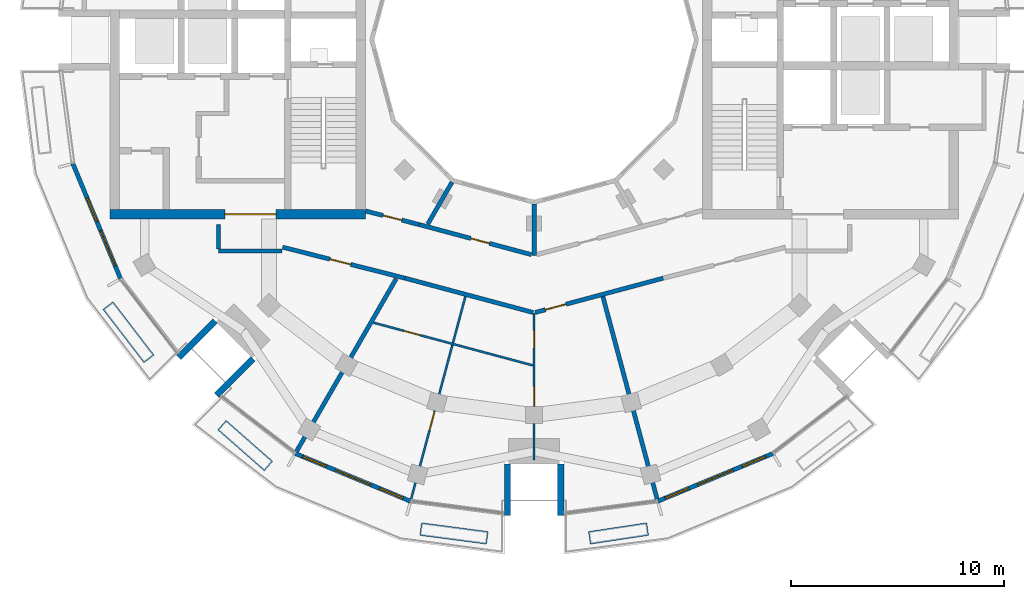
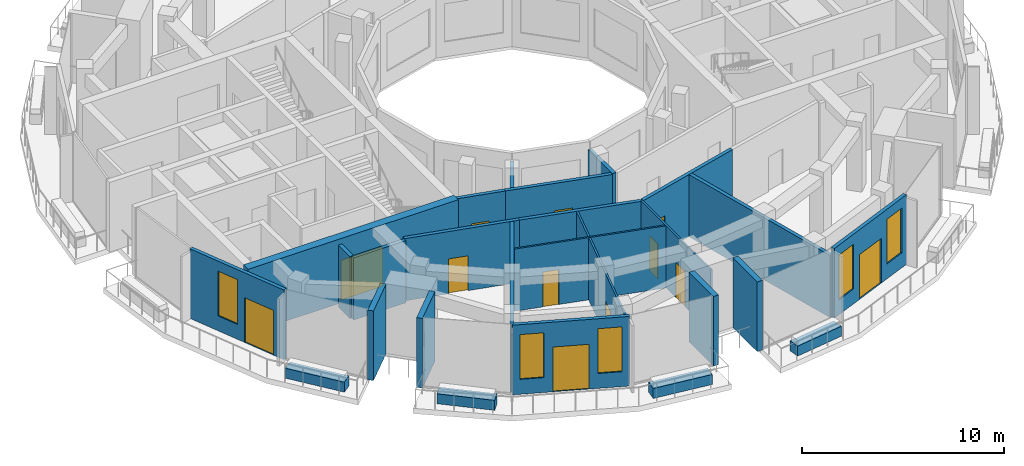
# One storey, part 8 of 16: 26 walls, 12 doors, 5 windows, 17 openings.
"""IFC4 building model written with IfcOpenShell, lengths in metres."""

import ifcopenshell
import ifcopenshell.guid

model = None  # the IFC model being written
_history = None  # IfcOwnerHistory: only IFC2X3 demands one
_inside = {}  # id of a spatial element -> (the spatial element, [elements in it])
_under = {}  # id of a project, library or spatial element -> (it, [spatial elements below it])
_declared = {}  # id of a project -> (the project, [libraries it declares])
_typed = {}  # id of a type object -> (the type object, [elements of that type])
_made_of = {}  # id of a material, layer set ... -> (it, [elements and type objects made of it])


def new_model(schema):
    """Start an empty IFC model of exactly this schema.

    Asked for "IFC4X3", IfcOpenShell would pick the latest addendum, in which some entities
    have other attributes; the version numbers below select the first issue.
    IFC2X3 requires an IfcOwnerHistory on every rooted entity: one is made here for all.
    """
    global model, _history
    if schema == "IFC4X3":
        model = ifcopenshell.file(schema_version=(4, 3, 0, 0))
    else:
        model = ifcopenshell.file(schema=schema)
    _inside.clear()
    _under.clear()
    _declared.clear()
    _typed.clear()
    _made_of.clear()
    _history = None
    if model.schema == "IFC2X3":
        org = make("IfcOrganization", Name="unknown")
        user = make(
            "IfcPersonAndOrganization",
            ThePerson=make("IfcPerson", FamilyName="unknown"),
            TheOrganization=org,
        )
        app = make(
            "IfcApplication",
            ApplicationDeveloper=org,
            Version="unknown",
            ApplicationFullName="unknown",
            ApplicationIdentifier="unknown",
        )
        _history = make(
            "IfcOwnerHistory",
            OwningUser=user,
            OwningApplication=app,
            ChangeAction="ADDED",
            CreationDate=0,
        )
    return model


def make(cls, **values):
    """One entity of the class cls with the attributes given. An attribute that is None is left unset."""
    return model.create_entity(
        cls, **{name: value for name, value in values.items() if value is not None}
    )


def rooted(cls, **values):
    """An entity with a GlobalId (a new one), such as an element, a storey or a relation."""
    return make(cls, GlobalId=ifcopenshell.guid.new(), OwnerHistory=_history, **values)


def si_unit(unit_type, name, prefix=None):
    """IfcSIUnit, for example si_unit("LENGTHUNIT", "METRE", prefix="MILLI")."""
    return make("IfcSIUnit", UnitType=unit_type, Prefix=prefix, Name=name)


def assignment(units):
    """IfcUnitAssignment: the units of a project."""
    return None if units is None else make("IfcUnitAssignment", Units=units)


def point(xyz):
    """IfcCartesianPoint."""
    return None if xyz is None else make("IfcCartesianPoint", Coordinates=xyz)


def direction(xyz):
    """IfcDirection."""
    return None if xyz is None else make("IfcDirection", DirectionRatios=xyz)


def frame(location, z_axis=None, x_axis=None):
    """IfcAxis2Placement3D, a coordinate frame: its origin and axes. An axis left out is left unset."""
    return make(
        "IfcAxis2Placement3D",
        Location=point(location),
        Axis=direction(z_axis),
        RefDirection=direction(x_axis),
    )


def frame_2d(location, x_axis=None):
    """IfcAxis2Placement2D, a coordinate frame in the plane: its origin and x axis."""
    return make(
        "IfcAxis2Placement2D", Location=point(location), RefDirection=direction(x_axis)
    )


def origin():
    """The frame at (0, 0, 0) with its axes left unset."""
    return frame((0.0, 0.0, 0.0))


def place(relative_to, where):
    """IfcLocalPlacement: puts the frame where relative to a parent placement (None: the world)."""
    return make(
        "IfcLocalPlacement", PlacementRelTo=relative_to, RelativePlacement=where
    )


def context(
    kind, dimensions, precision=None, world=None, true_north=None, identifier=None
):
    """IfcGeometricRepresentationContext, for example the 3D "Model" context."""
    return make(
        "IfcGeometricRepresentationContext",
        ContextIdentifier=identifier,
        ContextType=kind,
        CoordinateSpaceDimension=dimensions,
        Precision=precision,
        WorldCoordinateSystem=world,
        TrueNorth=true_north,
    )


def subcontext(parent, identifier, kind, view, scale=None):
    """IfcGeometricRepresentationSubContext, for example "Body" below "Model"."""
    return make(
        "IfcGeometricRepresentationSubContext",
        ContextIdentifier=identifier,
        ContextType=kind,
        ParentContext=parent,
        TargetScale=scale,
        TargetView=view,
    )


def project(units=None, contexts=None):
    """IfcProject with its units and contexts."""
    return rooted(
        "IfcProject",
        Name="project",
        RepresentationContexts=contexts,
        UnitsInContext=assignment(units),
    )


def spatial(cls, under=None, at=None, **own):
    """A site, building, storey or space (cls), placed at a placement, below another one or the project."""
    s = rooted(cls, ObjectPlacement=at, **own)
    if under is not None:
        _under.setdefault(under.id(), (under, []))[1].append(s)
    return s


def profile(cls, at=None, kind="AREA", **sizes):
    """A parametric profile (cls). Its sizes go by their IFC names, for example OverallWidth=200.0."""
    return make(cls, ProfileType=kind, Position=at, **sizes)


def rectangle(**sizes):
    """IfcRectangleProfileDef."""
    return profile("IfcRectangleProfileDef", **sizes)


def extrude(swept, where, along, depth):
    """IfcExtrudedAreaSolid: the profile swept, set in the frame where, extruded along a direction by depth."""
    return make(
        "IfcExtrudedAreaSolid",
        SweptArea=swept,
        Position=where,
        ExtrudedDirection=direction(along),
        Depth=depth,
    )


def shape(context_of_items, identifier, shape_type, items):
    """IfcShapeRepresentation: the items that make up one representation, for example the "Body"."""
    return make(
        "IfcShapeRepresentation",
        ContextOfItems=context_of_items,
        RepresentationIdentifier=identifier,
        RepresentationType=shape_type,
        Items=items,
    )


def material(Name=None, Category=None):
    """IfcMaterial."""
    return make("IfcMaterial", Name=Name, Category=Category)


def layer(
    of_material, thickness, ventilated=None, Name=None, Category=None, Priority=None
):
    """IfcMaterialLayer: one layer of a wall or slab, of a material (None: an air gap)."""
    return make(
        "IfcMaterialLayer",
        Material=of_material,
        LayerThickness=thickness,
        IsVentilated=ventilated,
        Name=Name,
        Category=Category,
        Priority=Priority,
    )


def layer_set(layers, Name=None):
    """IfcMaterialLayerSet."""
    return make("IfcMaterialLayerSet", MaterialLayers=layers, LayerSetName=Name)


def made_of(thing, what):
    """Note that an element or type object is made of a material, layer set ...; save() writes the relation."""
    if what is not None:
        _made_of.setdefault(what.id(), (what, []))[1].append(thing)
    return thing


def type_object(cls, material=None, **own):
    """A type object (cls), such as IfcWallType, which elements share."""
    return made_of(rooted(cls, **own), material)


def element(
    cls,
    number,
    at=None,
    inside=None,
    cuts=None,
    type_object=None,
    material=None,
    context=None,
    identifier="Body",
    shape_type=None,
    held_by="IfcProductDefinitionShape",
    body=None,
    shapes=None,
    **own,
):
    """One element of the class cls, such as IfcWall. Its Tag is "e" and its number.

    at: its placement. inside: the storey or other place that contains it. cuts: it is an
    opening in that element (IfcRelVoidsElement). A single representation is given by context,
    identifier, shape_type and body (its items); several are given by shapes. held_by: the class
    of the entity that holds the representations. save() writes the other relations.
    """
    e = rooted(cls, Tag="e%d" % number, ObjectPlacement=at, **own)
    if body is not None:
        shapes = [shape(context, identifier, shape_type, body)]
    if shapes is not None:
        e.Representation = make(held_by, Representations=shapes)
    if inside is not None:
        _inside.setdefault(inside.id(), (inside, []))[1].append(e)
    if cuts is not None:
        rooted(
            "IfcRelVoidsElement", RelatingBuildingElement=cuts, RelatedOpeningElement=e
        )
    if type_object is not None:
        _typed.setdefault(type_object.id(), (type_object, []))[1].append(e)
    return made_of(e, material)


def fill(opening, filler):
    """IfcRelFillsElement: the door or window that sits in an opening."""
    return rooted(
        "IfcRelFillsElement",
        RelatingOpeningElement=opening,
        RelatedBuildingElement=filler,
    )


def aggregate(whole, parts):
    """IfcRelAggregates: a whole, such as a stair, and the parts it consists of."""
    return rooted("IfcRelAggregates", RelatingObject=whole, RelatedObjects=parts)


def save(model, path):
    """Write the relations noted so far, then the file.

    IfcRelAggregates (storeys below a building ...), IfcRelContainedInSpatialStructure (elements
    in a storey), IfcRelDefinesByType, IfcRelAssociatesMaterial and IfcRelDeclares: one each for
    every whole, place, type object, material and project.
    """
    for whole, parts in _under.values():
        aggregate(whole, parts)
    for where, things in _inside.values():
        rooted(
            "IfcRelContainedInSpatialStructure",
            RelatedElements=things,
            RelatingStructure=where,
        )
    for kind, things in _typed.values():
        rooted("IfcRelDefinesByType", RelatedObjects=things, RelatingType=kind)
    for what, things in _made_of.values():
        rooted("IfcRelAssociatesMaterial", RelatedObjects=things, RelatingMaterial=what)
    for by, libraries in _declared.values():
        rooted("IfcRelDeclares", RelatingContext=by, RelatedDefinitions=libraries)
    model.write(path)


model = new_model("IFC4")

# Units and contexts
model_context = context("Model", 3, precision=1e-05, world=origin(), true_north=direction((0.0, 1.0)))
body_context = subcontext(model_context, "Body", "Model", "MODEL_VIEW")
ifc_project = project(units=[si_unit("LENGTHUNIT", "METRE"), si_unit("AREAUNIT", "SQUARE_METRE"), si_unit("VOLUMEUNIT", "CUBIC_METRE"), si_unit("PLANEANGLEUNIT", "RADIAN"), si_unit("MASSUNIT", "GRAM", prefix="KILO")], contexts=[model_context])

# Site, building, storey
site_placement = place(None, origin())
site = spatial("IfcSite", under=ifc_project, at=site_placement, CompositionType="ELEMENT")
building_placement = place(site_placement, origin())
building = spatial("IfcBuilding", under=site, at=building_placement, Name="Torre Brocal", CompositionType="ELEMENT")
storey_placement = place(building_placement, frame((0.0, 0.0, 292.5)))
storey = spatial("IfcBuildingStorey", under=building, at=storey_placement, Name="L67", CompositionType="ELEMENT", Elevation=292.5)

# Wall, opening, door
ifc_material_1 = material(Name="Concrete C50", Category="concrete")
ifc_layer_1 = layer(ifc_material_1, 0.449951171875)
ifc_layer_set_1 = layer_set([ifc_layer_1], Name="Concrete C50")
wall_type_1 = type_object("IfcWallType", Name="CORE WALL 450 C50", PredefinedType="SHEAR", material=ifc_layer_set_1)
wall_1_placement = place(storey_placement, frame((72.10009765625, 66.824951171875, 0.0), z_axis=(0.0, 0.0, 1.0), x_axis=(-1.0, 0.0, 0.0)))
wall_1 = element("IfcWall", 1, at=wall_1_placement, inside=storey, type_object=wall_type_1, Name="Wall CW450-50", PredefinedType="SHEAR", context=body_context, shape_type="SweptSolid", body=[
    extrude(rectangle(XDim=12.0, YDim=0.449951171875, at=frame_2d((6.0, 0.0))), origin(), (0.0, 0.0, 1.0), 3.8798828125),
])
opening_1_placement = place(wall_1_placement, frame((4.199951171875, 0.0, 0.0)))
opening_1 = element("IfcOpeningElement", 2, at=opening_1_placement, cuts=wall_1, Name="Opening W-D24", PredefinedType="OPENING", context=body_context, shape_type="SweptSolid", body=[
    extrude(rectangle(XDim=2.39990234375, YDim=2.39990234375, at=frame_2d((1.199951171875, 1.199951171875))), frame((0.0, 0.23486328125, 0.0), z_axis=(0.0, -1.0, 0.0), x_axis=(1.0, 0.0, 0.0)), (0.0, 0.0, 1.0), 0.469970703125),
])
ifc_material_2 = material(Name="Steel A653", Category="steel")
door_type_1 = type_object("IfcDoorType", Name="DOUBLE FIRE DOOR FD90 2400X2400", OperationType="DOUBLE_DOOR_SINGLE_SWING", PredefinedType="DOOR", material=ifc_material_2)
door_1_placement = place(opening_1_placement, frame((2.39990234375, 0.0, 0.0), z_axis=(0.0, 0.0, 1.0), x_axis=(-1.0, 0.0, 0.0)))
door_1 = element("IfcDoor", 3, at=door_1_placement, inside=storey, type_object=door_type_1, Name="Door W-D24", OperationType="DOUBLE_DOOR_SINGLE_SWING", OverallHeight=2.39990234375, OverallWidth=2.39990234375, PredefinedType="DOOR", context=body_context, shape_type="SweptSolid", body=[
    extrude(rectangle(XDim=2.39990234375, YDim=2.39990234375, at=frame_2d((1.199951171875, 1.199951171875))), frame((0.0, 0.02490234375, 0.0), z_axis=(0.0, -1.0, 0.0), x_axis=(1.0, 0.0, 0.0)), (0.0, 0.0, 1.0), 0.050048828125),
])
fill(opening_1, door_1)

# Wall, openings, door, window
ifc_material_3 = material(Name="Concrete C40", Category="concrete")
ifc_layer_2 = layer(ifc_material_3, 0.199951171875)
ifc_layer_set_2 = layer_set([ifc_layer_2], Name="Concrete C40")
wall_type_2 = type_object("IfcWallType", Name="EXTERNAL WALL 200", PredefinedType="NOTDEFINED", material=ifc_layer_set_2)
wall_2_placement = place(storey_placement, frame((58.364013671875, 69.20263671875, 0.0), z_axis=(0.0, 0.0, 1.0), x_axis=(0.382708254591, -0.923869250418, 0.0)))
wall_2 = element("IfcWall", 4, at=wall_2_placement, inside=storey, type_object=wall_type_2, Name="EXTERNAL WALL", PredefinedType="NOTDEFINED", context=body_context, shape_type="SweptSolid", body=[
    extrude(rectangle(XDim=5.84716796875, YDim=0.199951171875, at=frame_2d((2.923583984375, 0.0))), origin(), (0.0, 0.0, 1.0), 4.199951171875),
])
opening_2_placement = place(wall_2_placement, frame((1.75, 0.0, 0.89990234375)))
opening_2 = element("IfcOpeningElement", 5, at=opening_2_placement, cuts=wall_2, Name="Opening W9", PredefinedType="OPENING", context=body_context, shape_type="SweptSolid", body=[
    extrude(rectangle(XDim=1.199951171875, YDim=2.699951171875, at=frame_2d((0.60009765625, 1.35009765625))), frame((0.0, 0.10986328125, 0.0), z_axis=(0.0, -1.0, 0.0), x_axis=(1.0, 0.0, 0.0)), (0.0, 0.0, 1.0), 0.219970703125),
])
opening_3_placement = place(wall_2_placement, frame((3.39990234375, 0.0, 0.0)))
opening_3 = element("IfcOpeningElement", 6, at=opening_3_placement, cuts=wall_2, Name="Opening L67-E05", PredefinedType="OPENING", context=body_context, shape_type="SweptSolid", body=[
    extrude(rectangle(XDim=1.800048828125, YDim=2.699951171875, at=frame_2d((0.89990234375, 1.35009765625))), frame((0.0, 0.10986328125, 0.0), z_axis=(0.0, -1.0, 0.0), x_axis=(1.0, 0.0, 0.0)), (0.0, 0.0, 1.0), 0.219970703125),
])
ifc_material_4 = material(Name="Aluminium and glass", Category="aluminium")
door_type_2 = type_object("IfcDoorType", Name="PENTHOUSE TERRACE DOUBLE DOOR 1800X2700", OperationType="DOUBLE_DOOR_SINGLE_SWING", PredefinedType="DOOR", material=ifc_material_4)
door_2_placement = place(opening_3_placement, origin())
door_2 = element("IfcDoor", 7, at=door_2_placement, inside=storey, type_object=door_type_2, Name="DOOR L67-E05", OperationType="DOUBLE_DOOR_SINGLE_SWING", OverallHeight=2.699951171875, OverallWidth=1.800048828125, PredefinedType="DOOR", context=body_context, shape_type="SweptSolid", body=[
    extrude(rectangle(XDim=1.800048828125, YDim=2.699951171875, at=frame_2d((0.89990234375, 1.35009765625))), frame((0.0, 0.02490234375, 0.0), z_axis=(0.0, -1.0, 0.0), x_axis=(1.0, 0.0, 0.0)), (0.0, 0.0, 1.0), 0.050048828125),
])
fill(opening_3, door_2)
ifc_material_5 = material(Name="Aluminium and glass", Category="aluminium")
window_type = type_object("IfcWindowType", Name="PENTHOUSE TERRACE WINDOW 1200X2700", PartitioningType="SINGLE_PANEL", PredefinedType="WINDOW", material=ifc_material_5)
window_1_placement = place(opening_2_placement, origin())
window_1 = element("IfcWindow", 8, at=window_1_placement, inside=storey, type_object=window_type, Name="PENTHOUSE TERRACE WINDOW 1200X2700", OverallHeight=2.699951171875, OverallWidth=1.199951171875, PartitioningType="SINGLE_PANEL", PredefinedType="WINDOW", context=body_context, shape_type="SweptSolid", body=[
    extrude(rectangle(XDim=1.199951171875, YDim=2.699951171875, at=frame_2d((0.60009765625, 1.35009765625))), frame((0.0, 0.030029296875, 0.0), z_axis=(0.0, -1.0, 0.0), x_axis=(1.0, 0.0, 0.0)), (0.0, 0.0, 1.0), 0.06005859375),
])
fill(opening_2, window_1)

# Wall, openings, door, windows
wall_3_placement = place(storey_placement, frame((68.800537109375, 55.601806640625, 0.0), z_axis=(0.0, 0.0, 1.0), x_axis=(0.923869250418, -0.382708254591, 0.0)))
wall_3 = element("IfcWall", 9, at=wall_3_placement, inside=storey, type_object=wall_type_2, Name="EXTERNAL WALL", PredefinedType="NOTDEFINED", context=body_context, shape_type="SweptSolid", body=[
    extrude(rectangle(XDim=5.84716796875, YDim=0.199951171875, at=frame_2d((2.923583984375, 0.0))), origin(), (0.0, 0.0, 1.0), 4.199951171875),
])
opening_4_placement = place(wall_3_placement, frame((0.37451171875, 0.0, 0.89990234375)))
opening_4 = element("IfcOpeningElement", 10, at=opening_4_placement, cuts=wall_3, Name="Opening W9", PredefinedType="OPENING", context=body_context, shape_type="SweptSolid", body=[
    extrude(rectangle(XDim=1.199951171875, YDim=2.699951171875, at=frame_2d((0.60009765625, 1.35009765625))), frame((0.0, 0.10986328125, 0.0), z_axis=(0.0, -1.0, 0.0), x_axis=(1.0, 0.0, 0.0)), (0.0, 0.0, 1.0), 0.219970703125),
])
opening_5_placement = place(wall_3_placement, frame((2.023681640625, 0.0, 0.0)))
opening_5 = element("IfcOpeningElement", 11, at=opening_5_placement, cuts=wall_3, Name="Opening L67-E06", PredefinedType="OPENING", context=body_context, shape_type="SweptSolid", body=[
    extrude(rectangle(XDim=1.800048828125, YDim=2.699951171875, at=frame_2d((0.89990234375, 1.35009765625))), frame((0.0, 0.10986328125, 0.0), z_axis=(0.0, -1.0, 0.0), x_axis=(1.0, 0.0, 0.0)), (0.0, 0.0, 1.0), 0.219970703125),
])
opening_6_placement = place(wall_3_placement, frame((4.272705078125, 0.0, 0.89990234375)))
opening_6 = element("IfcOpeningElement", 12, at=opening_6_placement, cuts=wall_3, Name="Opening W9", PredefinedType="OPENING", context=body_context, shape_type="SweptSolid", body=[
    extrude(rectangle(XDim=1.199951171875, YDim=2.699951171875, at=frame_2d((0.60009765625, 1.35009765625))), frame((0.0, 0.10986328125, 0.0), z_axis=(0.0, -1.0, 0.0), x_axis=(1.0, 0.0, 0.0)), (0.0, 0.0, 1.0), 0.219970703125),
])
door_3_placement = place(opening_5_placement, frame((1.800048828125, 0.0, 0.0), z_axis=(0.0, 0.0, 1.0), x_axis=(-1.0, 0.0, 0.0)))
door_3 = element("IfcDoor", 13, at=door_3_placement, inside=storey, type_object=door_type_2, Name="DOOR L67-E06", OperationType="DOUBLE_DOOR_SINGLE_SWING", OverallHeight=2.699951171875, OverallWidth=1.800048828125, PredefinedType="DOOR", context=body_context, shape_type="SweptSolid", body=[
    extrude(rectangle(XDim=1.800048828125, YDim=2.699951171875, at=frame_2d((0.89990234375, 1.35009765625))), frame((0.0, 0.02490234375, 0.0), z_axis=(0.0, -1.0, 0.0), x_axis=(1.0, 0.0, 0.0)), (0.0, 0.0, 1.0), 0.050048828125),
])
fill(opening_5, door_3)
window_2_placement = place(opening_4_placement, origin())
window_2 = element("IfcWindow", 14, at=window_2_placement, inside=storey, type_object=window_type, Name="PENTHOUSE TERRACE WINDOW 1200X2700", OverallHeight=2.699951171875, OverallWidth=1.199951171875, PartitioningType="SINGLE_PANEL", PredefinedType="WINDOW", context=body_context, shape_type="SweptSolid", body=[
    extrude(rectangle(XDim=1.199951171875, YDim=2.699951171875, at=frame_2d((0.60009765625, 1.35009765625))), frame((0.0, 0.030029296875, 0.0), z_axis=(0.0, -1.0, 0.0), x_axis=(1.0, 0.0, 0.0)), (0.0, 0.0, 1.0), 0.06005859375),
])
fill(opening_4, window_2)
window_3_placement = place(opening_6_placement, origin())
window_3 = element("IfcWindow", 15, at=window_3_placement, inside=storey, type_object=window_type, Name="PENTHOUSE TERRACE WINDOW 1200X2700", OverallHeight=2.699951171875, OverallWidth=1.199951171875, PartitioningType="SINGLE_PANEL", PredefinedType="WINDOW", context=body_context, shape_type="SweptSolid", body=[
    extrude(rectangle(XDim=1.199951171875, YDim=2.699951171875, at=frame_2d((0.60009765625, 1.35009765625))), frame((0.0, 0.030029296875, 0.0), z_axis=(0.0, -1.0, 0.0), x_axis=(1.0, 0.0, 0.0)), (0.0, 0.0, 1.0), 0.06005859375),
])
fill(opening_6, window_3)

wall_4_placement = place(storey_placement, frame((85.79736328125, 53.364013671875, 0.0), z_axis=(0.0, 0.0, 1.0), x_axis=(0.923869250418, 0.382708254591, 0.0)))
wall_4 = element("IfcWall", 16, at=wall_4_placement, inside=storey, type_object=wall_type_2, Name="EXTERNAL WALL", PredefinedType="NOTDEFINED", context=body_context, shape_type="SweptSolid", body=[
    extrude(rectangle(XDim=5.84716796875, YDim=0.199951171875, at=frame_2d((2.923583984375, 0.0))), origin(), (0.0, 0.0, 1.0), 4.199951171875),
])
opening_7_placement = place(wall_4_placement, frame((0.37451171875, 0.0, 0.89990234375)))
opening_7 = element("IfcOpeningElement", 17, at=opening_7_placement, cuts=wall_4, Name="Opening W9", PredefinedType="OPENING", context=body_context, shape_type="SweptSolid", body=[
    extrude(rectangle(XDim=1.199951171875, YDim=2.699951171875, at=frame_2d((0.60009765625, 1.35009765625))), frame((0.0, 0.10986328125, 0.0), z_axis=(0.0, -1.0, 0.0), x_axis=(1.0, 0.0, 0.0)), (0.0, 0.0, 1.0), 0.219970703125),
])
opening_8_placement = place(wall_4_placement, frame((2.023681640625, 0.0, 0.0)))
opening_8 = element("IfcOpeningElement", 18, at=opening_8_placement, cuts=wall_4, Name="Opening L67-E07", PredefinedType="OPENING", context=body_context, shape_type="SweptSolid", body=[
    extrude(rectangle(XDim=1.800048828125, YDim=2.699951171875, at=frame_2d((0.89990234375, 1.35009765625))), frame((0.0, 0.10986328125, 0.0), z_axis=(0.0, -1.0, 0.0), x_axis=(1.0, 0.0, 0.0)), (0.0, 0.0, 1.0), 0.219970703125),
])
opening_9_placement = place(wall_4_placement, frame((4.272705078125, 0.0, 0.89990234375)))
opening_9 = element("IfcOpeningElement", 19, at=opening_9_placement, cuts=wall_4, Name="Opening W9", PredefinedType="OPENING", context=body_context, shape_type="SweptSolid", body=[
    extrude(rectangle(XDim=1.199951171875, YDim=2.699951171875, at=frame_2d((0.60009765625, 1.35009765625))), frame((0.0, 0.10986328125, 0.0), z_axis=(0.0, -1.0, 0.0), x_axis=(1.0, 0.0, 0.0)), (0.0, 0.0, 1.0), 0.219970703125),
])
door_4_placement = place(opening_8_placement, frame((1.800048828125, 0.0, 0.0), z_axis=(0.0, 0.0, 1.0), x_axis=(-1.0, 0.0, 0.0)))
door_4 = element("IfcDoor", 20, at=door_4_placement, inside=storey, type_object=door_type_2, Name="DOOR L67-E07", OperationType="DOUBLE_DOOR_SINGLE_SWING", OverallHeight=2.699951171875, OverallWidth=1.800048828125, PredefinedType="DOOR", context=body_context, shape_type="SweptSolid", body=[
    extrude(rectangle(XDim=1.800048828125, YDim=2.699951171875, at=frame_2d((0.89990234375, 1.35009765625))), frame((0.0, 0.02490234375, 0.0), z_axis=(0.0, -1.0, 0.0), x_axis=(1.0, 0.0, 0.0)), (0.0, 0.0, 1.0), 0.050048828125),
])
fill(opening_8, door_4)
window_4_placement = place(opening_7_placement, origin())
window_4 = element("IfcWindow", 21, at=window_4_placement, inside=storey, type_object=window_type, Name="PENTHOUSE TERRACE WINDOW 1200X2700", OverallHeight=2.699951171875, OverallWidth=1.199951171875, PartitioningType="SINGLE_PANEL", PredefinedType="WINDOW", context=body_context, shape_type="SweptSolid", body=[
    extrude(rectangle(XDim=1.199951171875, YDim=2.699951171875, at=frame_2d((0.60009765625, 1.35009765625))), frame((0.0, 0.030029296875, 0.0), z_axis=(0.0, -1.0, 0.0), x_axis=(1.0, 0.0, 0.0)), (0.0, 0.0, 1.0), 0.06005859375),
])
fill(opening_7, window_4)
window_5_placement = place(opening_9_placement, origin())
window_5 = element("IfcWindow", 22, at=window_5_placement, inside=storey, type_object=window_type, Name="PENTHOUSE TERRACE WINDOW 1200X2700", OverallHeight=2.699951171875, OverallWidth=1.199951171875, PartitioningType="SINGLE_PANEL", PredefinedType="WINDOW", context=body_context, shape_type="SweptSolid", body=[
    extrude(rectangle(XDim=1.199951171875, YDim=2.699951171875, at=frame_2d((0.60009765625, 1.35009765625))), frame((0.0, 0.030029296875, 0.0), z_axis=(0.0, -1.0, 0.0), x_axis=(1.0, 0.0, 0.0)), (0.0, 0.0, 1.0), 0.06005859375),
])
fill(opening_9, window_5)

# Walls
ifc_material_6 = material(Name="Concrete C50", Category="concrete")
ifc_layer_3 = layer(ifc_material_6, 0.300048828125)
ifc_layer_set_3 = layer_set([ifc_layer_3], Name="Concrete C50")
wall_type_3 = type_object("IfcWallType", Name="NOTCH RETURN WALL 300 C50", PredefinedType="NOTDEFINED", material=ifc_layer_set_3)
for number, where, z_axis, x_axis, name in (
    (23, (65.044677734375, 61.8125, 0.0), (0.0, 0.0, 1.0), (-0.707106781187, -0.707106781187, 0.0), "NOTCH RETURN WALL"),
    (24, (66.8125, 60.044677734375, 0.0), (0.0, 0.0, 1.0), (-0.707106781187, -0.707106781187, 0.0), "NOTCH RETURN WALL"),
    (25, (78.75, 55.10009765625, 0.0), (0.0, 0.0, 1.0), (0.0, -1.0, 0.0), "NOTCH RETURN WALL"),
    (26, (81.25, 55.10009765625, 0.0), (0.0, 0.0, 1.0), (0.0, -1.0, 0.0), "NOTCH RETURN WALL"),
):
    element("IfcWall", number, at=place(storey_placement, frame(where, z_axis=z_axis, x_axis=x_axis)), inside=storey, type_object=wall_type_3, Name=name, PredefinedType="NOTDEFINED", context=body_context, shape_type="SweptSolid", body=[
        extrude(rectangle(XDim=2.415771484375, YDim=0.300048828125, at=frame_2d((1.2080078125, 0.0))), origin(), (0.0, 0.0, 1.0), 4.199951171875),
    ])

# Wall, opening, door
ifc_material_7 = material(Name="Gypsum board", Category="Gypsum")
ifc_layer_4 = layer(ifc_material_7, 0.10009765625)
ifc_layer_set_4 = layer_set([ifc_layer_4], Name="Gypsum board")
wall_type_4 = type_object("IfcWallType", Name="PARTITION 100", PredefinedType="PARTITIONING", material=ifc_layer_set_4)
wall_5_placement = place(storey_placement, frame((72.46533203125, 61.738525390625, 0.0), z_axis=(0.0, 0.0, 1.0), x_axis=(0.965899611634, -0.258916859715, 0.0)))
wall_5 = element("IfcWall", 27, at=wall_5_placement, inside=storey, type_object=wall_type_4, Name="BATHROOM WALL", PredefinedType="PARTITIONING", context=body_context, shape_type="SweptSolid", body=[
    extrude(rectangle(XDim=7.740478515625, YDim=0.10009765625, at=frame_2d((3.8701171875, 0.0))), origin(), (0.0, 0.0, 1.0), 3.75),
])
opening_10_placement = place(wall_5_placement, frame((1.4677734375, 0.0, 0.0)))
opening_10 = element("IfcOpeningElement", 28, at=opening_10_placement, cuts=wall_5, Name="Opening N03-D13", PredefinedType="OPENING", context=body_context, shape_type="SweptSolid", body=[
    extrude(rectangle(XDim=0.800048828125, YDim=2.10009765625, at=frame_2d((0.39990234375, 1.050048828125))), frame((0.0, 0.06005859375, 0.0), z_axis=(0.0, -1.0, 0.0), x_axis=(1.0, 0.0, 0.0)), (0.0, 0.0, 1.0), 0.1201171875),
])
ifc_material_8 = material(Name="Timber", Category="wood")
door_type_3 = type_object("IfcDoorType", Name="BATHROOM DOOR 800X2100", OperationType="SINGLE_SWING_LEFT", PredefinedType="DOOR", material=ifc_material_8)
door_5_placement = place(opening_10_placement, origin())
door_5 = element("IfcDoor", 29, at=door_5_placement, inside=storey, type_object=door_type_3, Name="N03-D13", OperationType="SINGLE_SWING_LEFT", OverallHeight=2.10009765625, OverallWidth=0.800048828125, PredefinedType="DOOR", context=body_context, shape_type="SweptSolid", body=[
    extrude(rectangle(XDim=0.800048828125, YDim=2.10009765625, at=frame_2d((0.39990234375, 1.050048828125))), frame((0.0, 0.02490234375, 0.0), z_axis=(0.0, -1.0, 0.0), x_axis=(1.0, 0.0, 0.0)), (0.0, 0.0, 1.0), 0.050048828125),
])
fill(opening_10, door_5)

wall_6_placement = place(storey_placement, frame((74.22900390625, 53.461669921875, 0.0), z_axis=(0.0, 0.0, 1.0), x_axis=(0.258810097991, 0.965928223616, 0.0)))
wall_6 = element("IfcWall", 30, at=wall_6_placement, inside=storey, type_object=wall_type_4, Name="BATHROOM WALL", PredefinedType="PARTITIONING", context=body_context, shape_type="SweptSolid", body=[
    extrude(rectangle(XDim=9.837890625, YDim=0.10009765625, at=frame_2d((4.9189453125, 0.0))), origin(), (0.0, 0.0, 1.0), 3.75),
])
opening_11_placement = place(wall_6_placement, frame((3.343994140625, 0.0, 0.0)))
opening_11 = element("IfcOpeningElement", 31, at=opening_11_placement, cuts=wall_6, Name="Opening N03-D12", PredefinedType="OPENING", context=body_context, shape_type="SweptSolid", body=[
    extrude(rectangle(XDim=0.89990234375, YDim=2.10009765625, at=frame_2d((0.449951171875, 1.050048828125))), frame((0.0, 0.06005859375, 0.0), z_axis=(0.0, -1.0, 0.0), x_axis=(1.0, 0.0, 0.0)), (0.0, 0.0, 1.0), 0.1201171875),
])
ifc_material_9 = material(Name="Timber", Category="wood")
door_type_4 = type_object("IfcDoorType", Name="ROOM DOOR 900X2100", OperationType="SINGLE_SWING_LEFT", PredefinedType="DOOR", material=ifc_material_9)
door_6_placement = place(opening_11_placement, frame((0.89990234375, 0.0, 0.0), z_axis=(0.0, 0.0, 1.0), x_axis=(-1.0, 0.0, 0.0)))
door_6 = element("IfcDoor", 32, at=door_6_placement, inside=storey, type_object=door_type_4, Name="N03-D12", OperationType="SINGLE_SWING_RIGHT", OverallHeight=2.10009765625, OverallWidth=0.89990234375, PredefinedType="DOOR", context=body_context, shape_type="SweptSolid", body=[
    extrude(rectangle(XDim=0.89990234375, YDim=2.10009765625, at=frame_2d((0.449951171875, 1.050048828125))), frame((0.0, 0.02490234375, 0.0), z_axis=(0.0, -1.0, 0.0), x_axis=(1.0, 0.0, 0.0)), (0.0, 0.0, 1.0), 0.050048828125),
])
fill(opening_11, door_6)

# Wall, openings, doors
wall_7_placement = place(storey_placement, frame((80.0, 55.300048828125, 0.0), z_axis=(0.0, 0.0, 1.0), x_axis=(0.0, 1.0, 0.0)))
wall_7 = element("IfcWall", 33, at=wall_7_placement, inside=storey, type_object=wall_type_4, Name="BATHROOM WALL", PredefinedType="PARTITIONING", context=body_context, shape_type="SweptSolid", body=[
    extrude(rectangle(XDim=6.904052734375, YDim=0.10009765625, at=frame_2d((3.4521484375, 0.0))), origin(), (0.0, 0.0, 1.0), 3.75),
])
opening_12_placement = place(wall_7_placement, frame((2.534423828125, 0.0, 0.0)))
opening_12 = element("IfcOpeningElement", 34, at=opening_12_placement, cuts=wall_7, Name="Opening N03-D10", PredefinedType="OPENING", context=body_context, shape_type="SweptSolid", body=[
    extrude(rectangle(XDim=0.89990234375, YDim=2.10009765625, at=frame_2d((0.449951171875, 1.050048828125))), frame((0.0, 0.06005859375, 0.0), z_axis=(0.0, -1.0, 0.0), x_axis=(1.0, 0.0, 0.0)), (0.0, 0.0, 1.0), 0.1201171875),
])
opening_13_placement = place(wall_7_placement, frame((5.261474609375, 0.0, 0.0)))
opening_13 = element("IfcOpeningElement", 35, at=opening_13_placement, cuts=wall_7, Name="Opening N03-D11", PredefinedType="OPENING", context=body_context, shape_type="SweptSolid", body=[
    extrude(rectangle(XDim=0.800048828125, YDim=2.10009765625, at=frame_2d((0.39990234375, 1.050048828125))), frame((0.0, 0.06005859375, 0.0), z_axis=(0.0, -1.0, 0.0), x_axis=(1.0, 0.0, 0.0)), (0.0, 0.0, 1.0), 0.1201171875),
])
door_7_placement = place(opening_13_placement, origin())
door_7 = element("IfcDoor", 36, at=door_7_placement, inside=storey, type_object=door_type_3, Name="N03-D11", OperationType="SINGLE_SWING_LEFT", OverallHeight=2.10009765625, OverallWidth=0.800048828125, PredefinedType="DOOR", context=body_context, shape_type="SweptSolid", body=[
    extrude(rectangle(XDim=0.800048828125, YDim=2.10009765625, at=frame_2d((0.39990234375, 1.050048828125))), frame((0.0, 0.02490234375, 0.0), z_axis=(0.0, -1.0, 0.0), x_axis=(1.0, 0.0, 0.0)), (0.0, 0.0, 1.0), 0.050048828125),
])
fill(opening_13, door_7)
door_8_placement = place(opening_12_placement, origin())
door_8 = element("IfcDoor", 37, at=door_8_placement, inside=storey, type_object=door_type_4, Name="N03-D10", OperationType="SINGLE_SWING_RIGHT", OverallHeight=2.10009765625, OverallWidth=0.89990234375, PredefinedType="DOOR", context=body_context, shape_type="SweptSolid", body=[
    extrude(rectangle(XDim=0.89990234375, YDim=2.10009765625, at=frame_2d((0.449951171875, 1.050048828125))), frame((0.0, 0.02490234375, 0.0), z_axis=(0.0, -1.0, 0.0), x_axis=(1.0, 0.0, 0.0)), (0.0, 0.0, 1.0), 0.050048828125),
])
fill(opening_12, door_8)

# Walls
ifc_material_10 = material(Name="Gypsum board", Category="Gypsum")
ifc_layer_5 = layer(ifc_material_10, 0.199951171875)
ifc_layer_set_5 = layer_set([ifc_layer_5], Name="Gypsum board")
wall_type_5 = type_object("IfcWallType", Name="PARTITION 200 EI60", PredefinedType="PARTITIONING", material=ifc_layer_set_5)
wall_8_placement = place(storey_placement, frame((65.199951171875, 65.199951171875, 0.0), z_axis=(0.0, 0.0, 1.0), x_axis=(0.0, 1.0, 0.0)))
element("IfcWall", 38, at=wall_8_placement, inside=storey, type_object=wall_type_5, Name="FLAT ENTRANCE WALL", PredefinedType="PARTITIONING", context=body_context, shape_type="SweptSolid", body=[
    extrude(rectangle(XDim=1.149169921875, YDim=0.199951171875, at=frame_2d((0.57470703125, 0.0))), origin(), (0.0, 0.0, 1.0), 3.75),
])
wall_9_placement = place(storey_placement, frame((65.199951171875, 65.10009765625, 0.0), z_axis=(0.0, 0.0, 1.0), x_axis=(1.0, 0.0, 0.0)))
element("IfcWall", 39, at=wall_9_placement, inside=storey, type_object=wall_type_5, Name="FLAT ENTRANCE WALL", PredefinedType="PARTITIONING", context=body_context, shape_type="SweptSolid", body=[
    extrude(rectangle(XDim=2.97998046875, YDim=0.199951171875, at=frame_2d((1.489990234375, 0.0))), origin(), (0.0, 0.0, 1.0), 3.75),
])

# Wall, opening, door
wall_10_placement = place(storey_placement, frame((68.200927734375, 65.280029296875, 0.0), z_axis=(0.0, 0.0, 1.0), x_axis=(0.969421088032, -0.245403247897, 0.0)))
wall_10 = element("IfcWall", 40, at=wall_10_placement, inside=storey, type_object=wall_type_5, Name="FLAT ENTRANCE WALL", PredefinedType="PARTITIONING", context=body_context, shape_type="SweptSolid", body=[
    extrude(rectangle(XDim=5.92724609375, YDim=0.199951171875, at=frame_2d((2.963623046875, 0.0))), origin(), (0.0, 0.0, 1.0), 3.75),
])
opening_14_placement = place(wall_10_placement, frame((2.29345703125, 0.0, 0.0)))
opening_14 = element("IfcOpeningElement", 41, at=opening_14_placement, cuts=wall_10, Name="Opening N03-D14", PredefinedType="OPENING", context=body_context, shape_type="SweptSolid", body=[
    extrude(rectangle(XDim=1.0, YDim=2.10009765625, at=frame_2d((0.5, 1.050048828125))), frame((0.0, 0.10986328125, 0.0), z_axis=(0.0, -1.0, 0.0), x_axis=(1.0, 0.0, 0.0)), (0.0, 0.0, 1.0), 0.219970703125),
])
ifc_material_11 = material(Name="Timber", Category="wood")
door_type_5 = type_object("IfcDoorType", Name="FLAT ENTRY DOOR FD30S 1000X2100", OperationType="SINGLE_SWING_RIGHT", PredefinedType="DOOR", material=ifc_material_11)
door_9_placement = place(opening_14_placement, frame((1.0, 0.0, 0.0), z_axis=(0.0, 0.0, 1.0), x_axis=(-1.0, 0.0, 0.0)))
door_9 = element("IfcDoor", 42, at=door_9_placement, inside=storey, type_object=door_type_5, Name="N03-D14", OperationType="SINGLE_SWING_LEFT", OverallHeight=2.10009765625, OverallWidth=1.0, PredefinedType="DOOR", context=body_context, shape_type="SweptSolid", body=[
    extrude(rectangle(XDim=1.0, YDim=2.10009765625, at=frame_2d((0.5, 1.050048828125))), frame((0.0, 0.02490234375, 0.0), z_axis=(0.0, -1.0, 0.0), x_axis=(1.0, 0.0, 0.0)), (0.0, 0.0, 1.0), 0.050048828125),
])
fill(opening_14, door_9)

# Wall
wall_11_placement = place(storey_placement, frame((68.849365234375, 55.69189453125, 0.0), z_axis=(0.0, 0.0, 1.0), x_axis=(0.50011732958, 0.865957652922, 0.0)))
element("IfcWall", 43, at=wall_11_placement, inside=storey, type_object=wall_type_5, Name="BATHROOM WALL", PredefinedType="PARTITIONING", context=body_context, shape_type="SweptSolid", body=[
    extrude(rectangle(XDim=9.365478515625, YDim=0.199951171875, at=frame_2d((4.6826171875, 0.0))), origin(), (0.0, 0.0, 1.0), 3.75),
])

# Wall, opening, door
wall_12_placement = place(storey_placement, frame((72.10009765625, 66.97509765625, 0.0), z_axis=(0.0, 0.0, 1.0), x_axis=(0.969471314457, -0.245204752086, 0.0)))
wall_12 = element("IfcWall", 44, at=wall_12_placement, inside=storey, type_object=wall_type_5, Name="CORRIDOR WALL", PredefinedType="PARTITIONING", context=body_context, shape_type="SweptSolid", body=[
    extrude(rectangle(XDim=2.581787109375, YDim=0.199951171875, at=frame_2d((1.291015625, 0.0))), origin(), (0.0, 0.0, 1.0), 3.75),
])
opening_15_placement = place(wall_12_placement, frame((0.8408203125, 0.0, 0.0)))
opening_15 = element("IfcOpeningElement", 45, at=opening_15_placement, cuts=wall_12, Name="Opening N03-D18", PredefinedType="OPENING", context=body_context, shape_type="SweptSolid", body=[
    extrude(rectangle(XDim=0.89990234375, YDim=2.10009765625, at=frame_2d((0.449951171875, 1.050048828125))), frame((0.0, 0.10986328125, 0.0), z_axis=(0.0, -1.0, 0.0), x_axis=(1.0, 0.0, 0.0)), (0.0, 0.0, 1.0), 0.219970703125),
])
door_10_placement = place(opening_15_placement, origin())
door_10 = element("IfcDoor", 46, at=door_10_placement, inside=storey, type_object=door_type_4, Name="N03-D18", OperationType="SINGLE_SWING_LEFT", OverallHeight=2.10009765625, OverallWidth=0.89990234375, PredefinedType="DOOR", context=body_context, shape_type="SweptSolid", body=[
    extrude(rectangle(XDim=0.89990234375, YDim=2.10009765625, at=frame_2d((0.449951171875, 1.050048828125))), frame((0.0, 0.02490234375, 0.0), z_axis=(0.0, -1.0, 0.0), x_axis=(1.0, 0.0, 0.0)), (0.0, 0.0, 1.0), 0.050048828125),
])
fill(opening_15, door_10)

# Wall
wall_13_placement = place(storey_placement, frame((73.947021484375, 63.825927734375, 0.0), z_axis=(0.0, 0.0, 1.0), x_axis=(0.965908253407, -0.258884619088, 0.0)))
element("IfcWall", 47, at=wall_13_placement, inside=storey, type_object=wall_type_5, Name="GUESTROOM CORRIDOR WALL", PredefinedType="PARTITIONING", context=body_context, shape_type="SweptSolid", body=[
    extrude(rectangle(XDim=6.216552734375, YDim=0.199951171875, at=frame_2d((3.1083984375, 0.0))), origin(), (0.0, 0.0, 1.0), 3.75),
])

# Wall, opening, door
wall_14_placement = place(storey_placement, frame((74.60302734375, 66.342041015625, 0.0), z_axis=(0.0, 0.0, 1.0), x_axis=(0.965920893652, -0.258837453254, 0.0)))
wall_14 = element("IfcWall", 48, at=wall_14_placement, inside=storey, type_object=wall_type_5, Name="CORRIDOR WALL", PredefinedType="PARTITIONING", context=body_context, shape_type="SweptSolid", body=[
    extrude(rectangle(XDim=5.45751953125, YDim=0.199951171875, at=frame_2d((2.728759765625, 0.0))), origin(), (0.0, 0.0, 1.0), 3.75),
])
opening_16_placement = place(wall_14_placement, frame((2.512451171875, 0.0, 0.0)))
opening_16 = element("IfcOpeningElement", 49, at=opening_16_placement, cuts=wall_14, Name="Opening N03-D17", PredefinedType="OPENING", context=body_context, shape_type="SweptSolid", body=[
    extrude(rectangle(XDim=0.89990234375, YDim=2.10009765625, at=frame_2d((0.449951171875, 1.050048828125))), frame((0.0, 0.10986328125, 0.0), z_axis=(0.0, -1.0, 0.0), x_axis=(1.0, 0.0, 0.0)), (0.0, 0.0, 1.0), 0.219970703125),
])
door_11_placement = place(opening_16_placement, origin())
door_11 = element("IfcDoor", 50, at=door_11_placement, inside=storey, type_object=door_type_4, Name="N03-D17", OperationType="SINGLE_SWING_LEFT", OverallHeight=2.10009765625, OverallWidth=0.89990234375, PredefinedType="DOOR", context=body_context, shape_type="SweptSolid", body=[
    extrude(rectangle(XDim=0.89990234375, YDim=2.10009765625, at=frame_2d((0.449951171875, 1.050048828125))), frame((0.0, 0.02490234375, 0.0), z_axis=(0.0, -1.0, 0.0), x_axis=(1.0, 0.0, 0.0)), (0.0, 0.0, 1.0), 0.050048828125),
])
fill(opening_16, door_11)

# Wall
wall_15_placement = place(storey_placement, frame((75.012451171875, 66.36279296875, 0.0), z_axis=(0.0, 0.0, 1.0), x_axis=(0.500097042406, 0.865969369075, 0.0)))
element("IfcWall", 51, at=wall_15_placement, inside=storey, type_object=wall_type_5, Name="PARTY PARTITION", PredefinedType="PARTITIONING", context=body_context, shape_type="SweptSolid", body=[
    extrude(rectangle(XDim=2.275390625, YDim=0.199951171875, at=frame_2d((1.1376953125, 0.0))), origin(), (0.0, 0.0, 1.0), 3.75),
])

# Wall, opening, door
wall_16_placement = place(storey_placement, frame((80.04833984375, 62.217041015625, 0.0), z_axis=(0.0, 0.0, 1.0), x_axis=(0.965937709386, 0.258774692708, 0.0)))
wall_16 = element("IfcWall", 52, at=wall_16_placement, inside=storey, type_object=wall_type_5, Name="FLAT ENTRANCE WALL", PredefinedType="PARTITIONING", context=body_context, shape_type="SweptSolid", body=[
    extrude(rectangle(XDim=6.21630859375, YDim=0.199951171875, at=frame_2d((3.108154296875, 0.0))), origin(), (0.0, 0.0, 1.0), 3.75),
])
opening_17_placement = place(wall_16_placement, frame((0.5, 0.0, 0.0)))
opening_17 = element("IfcOpeningElement", 53, at=opening_17_placement, cuts=wall_16, Name="Opening N03-D09", PredefinedType="OPENING", context=body_context, shape_type="SweptSolid", body=[
    extrude(rectangle(XDim=1.0, YDim=2.10009765625, at=frame_2d((0.5, 1.050048828125))), frame((0.0, 0.10986328125, 0.0), z_axis=(0.0, -1.0, 0.0), x_axis=(1.0, 0.0, 0.0)), (0.0, 0.0, 1.0), 0.219970703125),
])
door_12_placement = place(opening_17_placement, frame((1.0, 0.0, 0.0), z_axis=(0.0, 0.0, 1.0), x_axis=(-1.0, 0.0, 0.0)))
door_12 = element("IfcDoor", 54, at=door_12_placement, inside=storey, type_object=door_type_5, Name="N03-D09", OperationType="SINGLE_SWING_RIGHT", OverallHeight=2.10009765625, OverallWidth=1.0, PredefinedType="DOOR", context=body_context, shape_type="SweptSolid", body=[
    extrude(rectangle(XDim=1.0, YDim=2.10009765625, at=frame_2d((0.5, 1.050048828125))), frame((0.0, 0.02490234375, 0.0), z_axis=(0.0, -1.0, 0.0), x_axis=(1.0, 0.0, 0.0)), (0.0, 0.0, 1.0), 0.050048828125),
])
fill(opening_17, door_12)

# Walls
wall_17_placement = place(storey_placement, frame((80.0, 64.89599609375, 0.0), z_axis=(0.0, 0.0, 1.0), x_axis=(0.0, 1.0, 0.0)))
element("IfcWall", 55, at=wall_17_placement, inside=storey, type_object=wall_type_5, Name="SERVICE ROOM WALL", PredefinedType="PARTITIONING", context=body_context, shape_type="SweptSolid", body=[
    extrude(rectangle(XDim=2.405029296875, YDim=0.199951171875, at=frame_2d((1.20263671875, 0.0))), origin(), (0.0, 0.0, 1.0), 3.75),
])
wall_18_placement = place(storey_placement, frame((83.224609375, 62.96337890625, 0.0), z_axis=(0.0, 0.0, 1.0), x_axis=(0.258782398991, -0.96593564484, 0.0)))
element("IfcWall", 56, at=wall_18_placement, inside=storey, type_object=wall_type_5, Name="PARTY PARTITION", PredefinedType="PARTITIONING", context=body_context, shape_type="SweptSolid", body=[
    extrude(rectangle(XDim=9.837158203125, YDim=0.199951171875, at=frame_2d((4.91845703125, 0.0))), origin(), (0.0, 0.0, 1.0), 3.75),
])
ifc_material_12 = material(Name="Concrete C35", Category="concrete")
ifc_layer_6 = layer(ifc_material_12, 0.60009765625)
ifc_layer_set_6 = layer_set([ifc_layer_6], Name="Concrete C35")
wall_type_6 = type_object("IfcWallType", Name="PLANTER WALL 600 THICK 600 HIGH", PredefinedType="USERDEFINED", material=ifc_layer_set_6)
wall_19_placement = place(storey_placement, frame((60.011962890625, 62.5439453125, 0.0), z_axis=(0.0, 0.0, 1.0), x_axis=(0.608765634962, -0.793350112932, 0.0)))
element("IfcWall", 57, at=wall_19_placement, inside=storey, type_object=wall_type_6, Name="PLANTER", ObjectType="PLANTER", PredefinedType="USERDEFINED", context=body_context, shape_type="SweptSolid", body=[
    extrude(rectangle(XDim=3.159912109375, YDim=0.60009765625, at=frame_2d((1.580078125, 0.0))), origin(), (0.0, 0.0, 1.0), 0.60009765625),
])
wall_20_placement = place(storey_placement, frame((65.3544921875, 56.935546875, 0.0), z_axis=(0.0, 0.0, 1.0), x_axis=(0.751246709205, -0.660021501096, 0.0)))
element("IfcWall", 58, at=wall_20_placement, inside=storey, type_object=wall_type_6, Name="PLANTER", ObjectType="PLANTER", PredefinedType="USERDEFINED", context=body_context, shape_type="SweptSolid", body=[
    extrude(rectangle(XDim=2.914306640625, YDim=0.60009765625, at=frame_2d((1.45703125, 0.0))), origin(), (0.0, 0.0, 1.0), 0.60009765625),
])
wall_21_placement = place(storey_placement, frame((74.674072265625, 52.05859375, 0.0), z_axis=(0.0, 0.0, 1.0), x_axis=(0.991438509602, -0.130574429647, 0.0)))
element("IfcWall", 59, at=wall_21_placement, inside=storey, type_object=wall_type_6, Name="PLANTER", ObjectType="PLANTER", PredefinedType="USERDEFINED", context=body_context, shape_type="SweptSolid", body=[
    extrude(rectangle(XDim=3.159912109375, YDim=0.60009765625, at=frame_2d((1.580078125, 0.0))), origin(), (0.0, 0.0, 1.0), 0.60009765625),
])
wall_22_placement = place(storey_placement, frame((82.58984375, 51.64599609375, 0.0), z_axis=(0.0, 0.0, 1.0), x_axis=(0.988820205867, 0.14911271062, 0.0)))
element("IfcWall", 60, at=wall_22_placement, inside=storey, type_object=wall_type_6, Name="PLANTER", ObjectType="PLANTER", PredefinedType="USERDEFINED", context=body_context, shape_type="SweptSolid", body=[
    extrude(rectangle(XDim=2.76708984375, YDim=0.60009765625, at=frame_2d((1.383544921875, 0.0))), origin(), (0.0, 0.0, 1.0), 0.60009765625),
])

save(model, "model.ifc")
